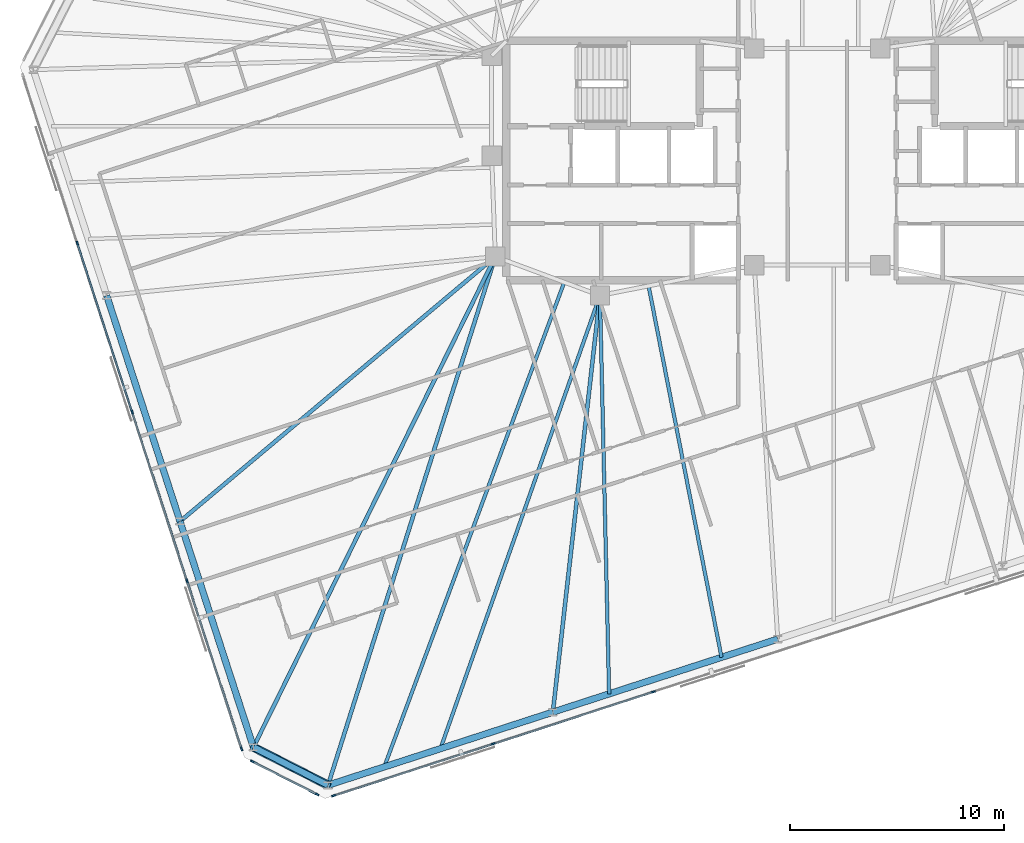
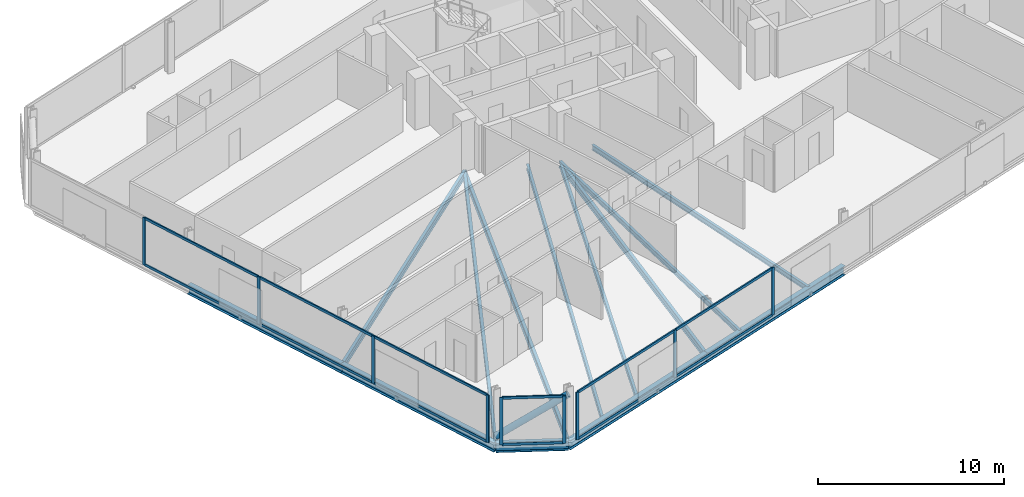
# One storey, part 5 of 19: 22 members, 13 beams, 3 elements without a shape of their own.
"""IFC4 building model written with IfcOpenShell, lengths in metres."""

from ifc_helpers import new_model, si_unit, direction, frame, origin, origin_2d, place, context, subcontext, project, spatial, rectangle, hollow_circle, i_section, extrude, material, material_profile, profile_set, type_object, element, aggregate, save


model = new_model("IFC4")

# Units and contexts
model_context = context("Model", 3, precision=1e-05, world=origin(), true_north=direction((0.0, 1.0)))
body_context = subcontext(model_context, "Body", "Model", "MODEL_VIEW")
ifc_project = project(units=[si_unit("LENGTHUNIT", "METRE"), si_unit("AREAUNIT", "SQUARE_METRE"), si_unit("VOLUMEUNIT", "CUBIC_METRE"), si_unit("PLANEANGLEUNIT", "RADIAN"), si_unit("MASSUNIT", "GRAM", prefix="KILO")], contexts=[model_context])

# Site, building, storey
site_placement = place(None, origin())
site = spatial("IfcSite", under=ifc_project, at=site_placement, CompositionType="ELEMENT")
building_placement = place(site_placement, origin())
building = spatial("IfcBuilding", under=site, at=building_placement, Name="Menara Jurai Vektor", CompositionType="ELEMENT")
storey_placement = place(building_placement, frame((0.0, 0.0, 234.35009765625)))
storey = spatial("IfcBuildingStorey", under=building, at=storey_placement, Name="L62", CompositionType="ELEMENT", Elevation=234.35009765625)

# Curtain wall, members
ifc_material_1 = material(Name="Anodised Pale Aluminium & Low-E Double Glazing", Category="aluminium")
curtain_wall_type = type_object("IfcCurtainWallType", Name="CW-BLK4", PredefinedType="NOTDEFINED", material=ifc_material_1)
curtain_wall_1_placement = place(storey_placement, origin())
curtain_wall_1 = element("IfcCurtainWall", 1, at=curtain_wall_1_placement, inside=storey, type_object=curtain_wall_type, Name="Unitised Curtain Wall L62 F01", PredefinedType="NOTDEFINED")
ifc_material_2 = material(Name="Anodised Pale Aluminium Mullion", Category="aluminium")
ifc_material_profile_1 = material_profile(ifc_material_2, rectangle(XDim=0.080078125, YDim=0.18994140625, at=origin_2d()), Name="ALU MUL 80x190")
ifc_profile_set_1 = profile_set([ifc_material_profile_1], Name="Anodised Pale Aluminium Mullion")
member_type_1 = type_object("IfcMemberType", Name="CW-BLK4-MUL", PredefinedType="MULLION", material=ifc_profile_set_1)
member_1_placement = place(storey_placement, frame((-22.649658203125, -29.743896484375, 0.0), z_axis=(0.0, 0.0, 1.0), x_axis=(-0.309017344167, 0.951056402641, 0.0)))
member_1 = element("IfcMember", 2, at=member_1_placement, type_object=member_type_1, Name="CW-04 mullion 1", PredefinedType="MULLION", context=body_context, shape_type="SweptSolid", body=[
    extrude(rectangle(XDim=0.080078125, YDim=0.18994140625, at=origin_2d()), origin(), (0.0, 0.0, 1.0), 3.125),
])
member_2_placement = place(storey_placement, frame((-15.1826171875, -27.317626953125, 0.0), z_axis=(0.0, 0.0, 1.0), x_axis=(-0.309017344167, 0.951056402641, 0.0)))
member_2 = element("IfcMember", 3, at=member_2_placement, type_object=member_type_1, Name="CW-04 mullion 2", PredefinedType="MULLION", context=body_context, shape_type="SweptSolid", body=[
    extrude(rectangle(XDim=0.080078125, YDim=0.18994140625, at=origin_2d()), origin(), (0.0, 0.0, 1.0), 3.125),
])
member_3_placement = place(storey_placement, frame((-7.677490234375, -24.879150390625, 0.0), z_axis=(0.0, 0.0, 1.0), x_axis=(-0.309017344167, 0.951056402641, 0.0)))
member_3 = element("IfcMember", 4, at=member_3_placement, type_object=member_type_1, Name="CW-04 mullion 3", PredefinedType="MULLION", context=body_context, shape_type="SweptSolid", body=[
    extrude(rectangle(XDim=0.080078125, YDim=0.18994140625, at=origin_2d()), origin(), (0.0, 0.0, 1.0), 3.125),
])

curtain_wall_2_placement = place(storey_placement, origin())
curtain_wall_2 = element("IfcCurtainWall", 5, at=curtain_wall_2_placement, inside=storey, type_object=curtain_wall_type, Name="Unitised Curtain Wall L62 F07", PredefinedType="NOTDEFINED")
member_4_placement = place(storey_placement, frame((-34.650634765625, -3.876220703125, 0.0), z_axis=(0.0, 0.0, 1.0), x_axis=(0.95105668295, 0.309016481464, 0.0)))
member_4 = element("IfcMember", 6, at=member_4_placement, type_object=member_type_1, Name="CW-04 mullion 2", PredefinedType="MULLION", context=body_context, shape_type="SweptSolid", body=[
    extrude(rectangle(XDim=0.080078125, YDim=0.18994140625, at=origin_2d()), origin(), (0.0, 0.0, 1.0), 3.125),
])
member_5_placement = place(storey_placement, frame((-32.082763671875, -11.779541015625, 0.0), z_axis=(0.0, 0.0, 1.0), x_axis=(0.95105668295, 0.309016481464, 0.0)))
member_5 = element("IfcMember", 7, at=member_5_placement, type_object=member_type_1, Name="CW-04 mullion 3", PredefinedType="MULLION", context=body_context, shape_type="SweptSolid", body=[
    extrude(rectangle(XDim=0.080078125, YDim=0.18994140625, at=origin_2d()), origin(), (0.0, 0.0, 1.0), 3.125),
])
member_6_placement = place(storey_placement, frame((-29.514892578125, -19.682861328125, 0.0), z_axis=(0.0, 0.0, 1.0), x_axis=(0.95105668295, 0.309016481464, 0.0)))
member_6 = element("IfcMember", 8, at=member_6_placement, type_object=member_type_1, Name="CW-04 mullion 4", PredefinedType="MULLION", context=body_context, shape_type="SweptSolid", body=[
    extrude(rectangle(XDim=0.080078125, YDim=0.18994140625, at=origin_2d()), origin(), (0.0, 0.0, 1.0), 3.125),
])
member_7_placement = place(storey_placement, frame((-26.959228515625, -27.548095703125, 0.0), z_axis=(0.0, 0.0, 1.0), x_axis=(0.95105668295, 0.309016481464, 0.0)))
member_7 = element("IfcMember", 9, at=member_7_placement, type_object=member_type_1, Name="CW-04 mullion 5", PredefinedType="MULLION", context=body_context, shape_type="SweptSolid", body=[
    extrude(rectangle(XDim=0.080078125, YDim=0.18994140625, at=origin_2d()), origin(), (0.0, 0.0, 1.0), 3.125),
])

curtain_wall_3_placement = place(storey_placement, origin())
curtain_wall_3 = element("IfcCurtainWall", 10, at=curtain_wall_3_placement, inside=storey, type_object=curtain_wall_type, Name="Unitised Curtain Wall L62 F08", PredefinedType="NOTDEFINED")
member_8_placement = place(storey_placement, frame((-26.455322265625, -28.13818359375, 0.0), z_axis=(0.0, 0.0, 1.0), x_axis=(0.453988579828, 0.89100750243, 0.0)))
member_8 = element("IfcMember", 11, at=member_8_placement, type_object=member_type_1, Name="CW-04 mullion 1", PredefinedType="MULLION", context=body_context, shape_type="SweptSolid", body=[
    extrude(rectangle(XDim=0.080078125, YDim=0.18994140625, at=origin_2d()), origin(), (0.0, 0.0, 1.0), 3.125),
])
member_9_placement = place(storey_placement, frame((-23.42333984375, -29.682861328125, 0.0), z_axis=(0.0, 0.0, 1.0), x_axis=(0.453988579828, 0.89100750243, 0.0)))
member_9 = element("IfcMember", 12, at=member_9_placement, type_object=member_type_1, Name="CW-04 mullion 2", PredefinedType="MULLION", context=body_context, shape_type="SweptSolid", body=[
    extrude(rectangle(XDim=0.080078125, YDim=0.18994140625, at=origin_2d()), origin(), (0.0, 0.0, 1.0), 3.125),
])

# Member
ifc_material_3 = material(Name="Anodised Pale Aluminium Transom", Category="aluminium")
ifc_material_profile_2 = material_profile(ifc_material_3, rectangle(XDim=0.080078125, YDim=0.1650390625, at=origin_2d()), Name="ALU TRN 80x165")
ifc_profile_set_2 = profile_set([ifc_material_profile_2], Name="Anodised Pale Aluminium Transom")
member_type_2 = type_object("IfcMemberType", Name="CW-BLK4-TRN", PredefinedType="USERDEFINED", material=ifc_profile_set_2)
member_10_placement = place(storey_placement, frame((-22.61181640625, -29.7314453125, 0.039794921875), z_axis=(0.951062230089, 0.308999408573, 0.0), x_axis=(-0.308999408573, 0.951062230089, 0.0)))
member_10 = element("IfcMember", 13, at=member_10_placement, type_object=member_type_2, Name="CW-04 transom 1.1", ObjectType="TRANSOM", PredefinedType="USERDEFINED", context=body_context, shape_type="SweptSolid", body=[
    extrude(rectangle(XDim=0.080078125, YDim=0.1650390625, at=origin_2d()), origin(), (0.0, 0.0, 1.0), 7.771484375),
])

member_11_placement = place(storey_placement, frame((-22.61181640625, -29.7314453125, 3.0849609375), z_axis=(0.951062230089, 0.308999408573, 0.0), x_axis=(-0.308999408573, 0.951062230089, 0.0)))
member_11 = element("IfcMember", 14, at=member_11_placement, type_object=member_type_2, Name="CW-04 transom 1.2", ObjectType="TRANSOM", PredefinedType="USERDEFINED", context=body_context, shape_type="SweptSolid", body=[
    extrude(rectangle(XDim=0.080078125, YDim=0.1650390625, at=origin_2d()), origin(), (0.0, 0.0, 1.0), 7.771484375),
])

member_12_placement = place(storey_placement, frame((-15.14453125, -27.30517578125, 0.039794921875), z_axis=(0.95105634578, 0.309017519167, 0.0), x_axis=(-0.309017519167, 0.95105634578, 0.0)))
member_12 = element("IfcMember", 15, at=member_12_placement, type_object=member_type_2, Name="CW-04 transom 2.1", ObjectType="TRANSOM", PredefinedType="USERDEFINED", context=body_context, shape_type="SweptSolid", body=[
    extrude(rectangle(XDim=0.080078125, YDim=0.1650390625, at=origin_2d()), origin(), (0.0, 0.0, 1.0), 7.811279296875),
])

member_13_placement = place(storey_placement, frame((-15.14453125, -27.30517578125, 3.0849609375), z_axis=(0.95105634578, 0.309017519167, 0.0), x_axis=(-0.309017519167, 0.95105634578, 0.0)))
member_13 = element("IfcMember", 16, at=member_13_placement, type_object=member_type_2, Name="CW-04 transom 2.2", ObjectType="TRANSOM", PredefinedType="USERDEFINED", context=body_context, shape_type="SweptSolid", body=[
    extrude(rectangle(XDim=0.080078125, YDim=0.1650390625, at=origin_2d()), origin(), (0.0, 0.0, 1.0), 7.811279296875),
])

aggregate(curtain_wall_1, [member_1, member_2, member_3, member_10, member_11, member_12, member_13])

member_14_placement = place(storey_placement, frame((-34.638427734375, -3.914306640625, 0.039794921875), z_axis=(0.309018994408, -0.951055866443, 0.0), x_axis=(0.951055866443, 0.309018994408, 0.0)))
member_14 = element("IfcMember", 17, at=member_14_placement, type_object=member_type_2, Name="CW-04 transom 2.1", ObjectType="TRANSOM", PredefinedType="USERDEFINED", context=body_context, shape_type="SweptSolid", body=[
    extrude(rectangle(XDim=0.080078125, YDim=0.1650390625, at=origin_2d()), origin(), (0.0, 0.0, 1.0), 8.22998046875),
])

member_15_placement = place(storey_placement, frame((-34.638427734375, -3.914306640625, 3.0849609375), z_axis=(0.309018994408, -0.951055866443, 0.0), x_axis=(0.951055866443, 0.309018994408, 0.0)))
member_15 = element("IfcMember", 18, at=member_15_placement, type_object=member_type_2, Name="CW-04 transom 2.2", ObjectType="TRANSOM", PredefinedType="USERDEFINED", context=body_context, shape_type="SweptSolid", body=[
    extrude(rectangle(XDim=0.080078125, YDim=0.1650390625, at=origin_2d()), origin(), (0.0, 0.0, 1.0), 8.22998046875),
])

member_16_placement = place(storey_placement, frame((-32.0703125, -11.817626953125, 0.039794921875), z_axis=(0.309018994408, -0.951055866443, 0.0), x_axis=(0.951055866443, 0.309018994408, 0.0)))
member_16 = element("IfcMember", 19, at=member_16_placement, type_object=member_type_2, Name="CW-04 transom 3.1", ObjectType="TRANSOM", PredefinedType="USERDEFINED", context=body_context, shape_type="SweptSolid", body=[
    extrude(rectangle(XDim=0.080078125, YDim=0.1650390625, at=origin_2d()), origin(), (0.0, 0.0, 1.0), 8.22998046875),
])

member_17_placement = place(storey_placement, frame((-32.0703125, -11.817626953125, 3.0849609375), z_axis=(0.309018994408, -0.951055866443, 0.0), x_axis=(0.951055866443, 0.309018994408, 0.0)))
member_17 = element("IfcMember", 20, at=member_17_placement, type_object=member_type_2, Name="CW-04 transom 3.2", ObjectType="TRANSOM", PredefinedType="USERDEFINED", context=body_context, shape_type="SweptSolid", body=[
    extrude(rectangle(XDim=0.080078125, YDim=0.1650390625, at=origin_2d()), origin(), (0.0, 0.0, 1.0), 8.22998046875),
])

member_18_placement = place(storey_placement, frame((-29.50244140625, -19.720947265625, 0.039794921875), z_axis=(0.309010577384, -0.951058601278, 0.0), x_axis=(0.951058601278, 0.309010577384, 0.0)))
member_18 = element("IfcMember", 21, at=member_18_placement, type_object=member_type_2, Name="CW-04 transom 4.1", ObjectType="TRANSOM", PredefinedType="USERDEFINED", context=body_context, shape_type="SweptSolid", body=[
    extrude(rectangle(XDim=0.080078125, YDim=0.1650390625, at=origin_2d()), origin(), (0.0, 0.0, 1.0), 8.18994140625),
])

member_19_placement = place(storey_placement, frame((-29.50244140625, -19.720947265625, 3.0849609375), z_axis=(0.309010577384, -0.951058601278, 0.0), x_axis=(0.951058601278, 0.309010577384, 0.0)))
member_19 = element("IfcMember", 22, at=member_19_placement, type_object=member_type_2, Name="CW-04 transom 4.2", ObjectType="TRANSOM", PredefinedType="USERDEFINED", context=body_context, shape_type="SweptSolid", body=[
    extrude(rectangle(XDim=0.080078125, YDim=0.1650390625, at=origin_2d()), origin(), (0.0, 0.0, 1.0), 8.18994140625),
])

aggregate(curtain_wall_2, [member_4, member_5, member_6, member_7, member_14, member_15, member_16, member_17, member_18, member_19])

member_20_placement = place(storey_placement, frame((-26.419677734375, -28.15625, 0.039794921875), z_axis=(0.89100697374, -0.453989617444, 0.0), x_axis=(0.453989617444, 0.89100697374, 0.0)))
member_20 = element("IfcMember", 23, at=member_20_placement, type_object=member_type_2, Name="CW-04 transom 1.1", ObjectType="TRANSOM", PredefinedType="USERDEFINED", context=body_context, shape_type="SweptSolid", body=[
    extrude(rectangle(XDim=0.080078125, YDim=0.1650390625, at=origin_2d()), origin(), (0.0, 0.0, 1.0), 3.32275390625),
])

member_21_placement = place(storey_placement, frame((-26.419677734375, -28.15625, 3.0849609375), z_axis=(0.89100697374, -0.453989617444, 0.0), x_axis=(0.453989617444, 0.89100697374, 0.0)))
member_21 = element("IfcMember", 24, at=member_21_placement, type_object=member_type_2, Name="CW-04 transom 1.2", ObjectType="TRANSOM", PredefinedType="USERDEFINED", context=body_context, shape_type="SweptSolid", body=[
    extrude(rectangle(XDim=0.080078125, YDim=0.1650390625, at=origin_2d()), origin(), (0.0, 0.0, 1.0), 3.32275390625),
])

aggregate(curtain_wall_3, [member_8, member_9, member_20, member_21])

# Beams
ifc_material_4 = material(Name="Steel S355", Category="steel")
ifc_material_profile_3 = material_profile(ifc_material_4, i_section(OverallWidth=0.18505859375, OverallDepth=0.429931640625, WebThickness=0.010986328125, FlangeThickness=0.01806640625, at=origin_2d()), Name="PG 430x185x76")
ifc_profile_set_3 = profile_set([ifc_material_profile_3], Name="Steel S355")
beam_type_1 = type_object("IfcBeamType", Name="STR-BM-430", PredefinedType="BEAM", material=ifc_profile_set_3)
beam_1_placement = place(storey_placement, frame((-22.912841796875, -29.2509765625, -0.440185546875), z_axis=(0.301715059084, 0.953398145122, 0.0), x_axis=(-0.953398145122, 0.301715059084, 0.0)))
element("IfcBeam", 25, at=beam_1_placement, inside=storey, type_object=beam_type_1, Name="Radial Floor Girder L62-S1", PredefinedType="BEAM", context=body_context, shape_type="SweptSolid", body=[
    extrude(i_section(OverallWidth=0.18505859375, OverallDepth=0.429931640625, WebThickness=0.010986328125, FlangeThickness=0.01806640625, at=origin_2d()), origin(), (0.0, 0.0, 1.0), 25.960693359375),
])
beam_2_placement = place(storey_placement, frame((-12.383544921875, -25.829833984375, -0.440185546875), z_axis=(0.112235588534, 0.993681625404, 0.0), x_axis=(-0.993681625404, 0.112235588534, 0.0)))
element("IfcBeam", 26, at=beam_2_placement, inside=storey, type_object=beam_type_1, Name="Radial Floor Girder L62-S2", PredefinedType="BEAM", context=body_context, shape_type="SweptSolid", body=[
    extrude(i_section(OverallWidth=0.18505859375, OverallDepth=0.429931640625, WebThickness=0.010986328125, FlangeThickness=0.01806640625, at=origin_2d()), origin(), (0.0, 0.0, 1.0), 19.6337890625),
])
beam_3_placement = place(storey_placement, frame((-29.841796875, -16.896728515625, -0.440185546875), z_axis=(0.765784449649, 0.64309733064, 0.0), x_axis=(-0.64309733064, 0.765784449649, 0.0)))
element("IfcBeam", 27, at=beam_3_placement, inside=storey, type_object=beam_type_1, Name="Radial Floor Girder L62-W3", PredefinedType="BEAM", context=body_context, shape_type="SweptSolid", body=[
    extrude(i_section(OverallWidth=0.18505859375, OverallDepth=0.429931640625, WebThickness=0.010986328125, FlangeThickness=0.01806640625, at=origin_2d()), origin(), (0.0, 0.0, 1.0), 19.276611328125),
])
beam_4_placement = place(storey_placement, frame((-26.406005859375, -27.47119140625, -0.440185546875), z_axis=(0.442219272094, 0.896906971424, 0.0), x_axis=(-0.896906971424, 0.442219272094, 0.0)))
element("IfcBeam", 28, at=beam_4_placement, inside=storey, type_object=beam_type_1, Name="Radial Floor Girder L62-W4", PredefinedType="BEAM", context=body_context, shape_type="SweptSolid", body=[
    extrude(i_section(OverallWidth=0.18505859375, OverallDepth=0.429931640625, WebThickness=0.010986328125, FlangeThickness=0.01806640625, at=origin_2d()), origin(), (0.0, 0.0, 1.0), 25.611572265625),
])

# Member
ifc_material_5 = material(Name="Steel S460", Category="steel")
ifc_material_profile_4 = material_profile(ifc_material_5, hollow_circle(Radius=0.203125, WallThickness=0.01611328125, at=origin_2d()), Name="CHS 406.4x16")
ifc_profile_set_4 = profile_set([ifc_material_profile_4], Name="Steel S460")
member_type_3 = type_object("IfcMemberType", Name="STR-BR-406", PredefinedType="BRACE", material=ifc_profile_set_4)
member_22_placement = place(storey_placement, frame((-26.406005859375, -27.47119140625, 0.14990234375), z_axis=(0.740375367811, -0.377225079071, 0.556368182465), x_axis=(0.453976155955, 0.891013832566, 0.0)))
element("IfcMember", 29, at=member_22_placement, inside=storey, type_object=member_type_3, Name="Exoskeleton Corner Brace L62-4", PredefinedType="BRACE", context=body_context, shape_type="SweptSolid", body=[
    extrude(hollow_circle(Radius=0.203125, WallThickness=0.01611328125, at=origin_2d()), origin(), (0.0, 0.0, 1.0), 4.718017578125),
])

# Beams
ifc_material_profile_5 = material_profile(ifc_material_4, i_section(OverallWidth=0.1650390625, OverallDepth=0.330078125, WebThickness=0.009033203125, FlangeThickness=0.013916015625, at=origin_2d()), Name="PG 330x165x46")
ifc_profile_set_5 = profile_set([ifc_material_profile_5], Name="Steel S355")
beam_type_2 = type_object("IfcBeamType", Name="STR-JS-330", PredefinedType="JOIST", material=ifc_profile_set_5)
beam_5_placement = place(storey_placement, frame((-20.280517578125, -28.395751953125, -0.39013671875), z_axis=(0.348182225555, 0.937426870645, 0.0), x_axis=(-0.937426870645, 0.348182225555, 0.0)))
element("IfcBeam", 30, at=beam_5_placement, inside=storey, type_object=beam_type_2, Name="Radial Secondary Floor Joist L62-JS01", PredefinedType="JOIST", context=body_context, shape_type="SweptSolid", body=[
    extrude(i_section(OverallWidth=0.1650390625, OverallDepth=0.330078125, WebThickness=0.009033203125, FlangeThickness=0.013916015625, at=origin_2d()), origin(), (0.0, 0.0, 1.0), 24.211181640625),
])
beam_6_placement = place(storey_placement, frame((-17.648193359375, -27.540283203125, -0.39013671875), z_axis=(0.331980963321, 0.943286085974, 0.0), x_axis=(-0.943286085974, 0.331980963321, 0.0)))
element("IfcBeam", 31, at=beam_6_placement, inside=storey, type_object=beam_type_2, Name="Radial Secondary Floor Joist L62-JS02", PredefinedType="JOIST", context=body_context, shape_type="SweptSolid", body=[
    extrude(i_section(OverallWidth=0.1650390625, OverallDepth=0.330078125, WebThickness=0.009033203125, FlangeThickness=0.013916015625, at=origin_2d()), origin(), (0.0, 0.0, 1.0), 22.49609375),
])
beam_7_placement = place(storey_placement, frame((-9.751220703125, -24.974609375, -0.39013671875), z_axis=(-0.022975519442, 0.999736027913, 0.0), x_axis=(-0.999736027913, -0.022975519442, 0.0)))
element("IfcBeam", 32, at=beam_7_placement, inside=storey, type_object=beam_type_2, Name="Radial Secondary Floor Joist L62-JS03", PredefinedType="JOIST", context=body_context, shape_type="SweptSolid", body=[
    extrude(i_section(OverallWidth=0.1650390625, OverallDepth=0.330078125, WebThickness=0.009033203125, FlangeThickness=0.013916015625, at=origin_2d()), origin(), (0.0, 0.0, 1.0), 18.659423828125),
])
beam_8_placement = place(storey_placement, frame((-4.486572265625, -23.263916015625, -0.39013671875), z_axis=(-0.192724225092, 0.981252960792, 0.0), x_axis=(-0.981252960792, -0.192724225092, 0.0)))
element("IfcBeam", 33, at=beam_8_placement, inside=storey, type_object=beam_type_2, Name="Radial Secondary Floor Joist L62-JS04", PredefinedType="JOIST", context=body_context, shape_type="SweptSolid", body=[
    extrude(i_section(OverallWidth=0.1650390625, OverallDepth=0.330078125, WebThickness=0.009033203125, FlangeThickness=0.013916015625, at=origin_2d()), origin(), (0.0, 0.0, 1.0), 17.7236328125),
])
ifc_material_profile_6 = material_profile(ifc_material_4, i_section(OverallWidth=0.306884765625, OverallDepth=0.6201171875, WebThickness=0.013916015625, FlangeThickness=0.02392578125, FilletRadius=0.01708984375, at=origin_2d()), Name="UKB 610x305x179")
ifc_profile_set_6 = profile_set([ifc_material_profile_6], Name="Steel S355")
beam_type_3 = type_object("IfcBeamType", Name="STR-SP-610", PredefinedType="SPANDREL", material=ifc_profile_set_6)
for number, where, z_axis, x_axis, name in (
    (34, (-22.912841796875, -29.2509765625, -0.53515625), (0.951057401967, 0.309014268544, 0.0), (-0.309014268544, 0.951057401967, 0.0), "Exoskeleton Spandrel Beam L62-01"),
    (35, (-12.383544921875, -25.829833984375, -0.53515625), (0.951057401967, 0.309014268544, 0.0), (-0.309014268544, 0.951057401967, 0.0), "Exoskeleton Spandrel Beam L62-02"),
):
    element("IfcBeam", number, at=place(storey_placement, frame(where, z_axis=z_axis, x_axis=x_axis)), inside=storey, type_object=beam_type_3, Name=name, PredefinedType="SPANDREL", context=body_context, shape_type="SweptSolid", body=[
        extrude(i_section(OverallWidth=0.306884765625, OverallDepth=0.6201171875, WebThickness=0.013916015625, FlangeThickness=0.02392578125, FilletRadius=0.01708984375, at=origin_2d()), origin(), (0.0, 0.0, 1.0), 11.071044921875),
    ])
beam_9_placement = place(storey_placement, frame((-33.277587890625, -6.322509765625, -0.53515625), z_axis=(0.309018545885, -0.951056012178, 0.0), x_axis=(0.951056012178, 0.309018545885, 0.0)))
element("IfcBeam", 36, at=beam_9_placement, inside=storey, type_object=beam_type_3, Name="Exoskeleton Spandrel Beam L62-18", PredefinedType="SPANDREL", context=body_context, shape_type="SweptSolid", body=[
    extrude(i_section(OverallWidth=0.306884765625, OverallDepth=0.6201171875, WebThickness=0.013916015625, FlangeThickness=0.02392578125, FilletRadius=0.01708984375, at=origin_2d()), origin(), (0.0, 0.0, 1.0), 11.118408203125),
])
beam_10_placement = place(storey_placement, frame((-29.841796875, -16.896728515625, -0.53515625), z_axis=(0.309012092614, -0.95105810896, 0.0), x_axis=(0.95105810896, 0.309012092614, 0.0)))
element("IfcBeam", 37, at=beam_10_placement, inside=storey, type_object=beam_type_3, Name="Exoskeleton Spandrel Beam L62-19", PredefinedType="SPANDREL", context=body_context, shape_type="SweptSolid", body=[
    extrude(i_section(OverallWidth=0.306884765625, OverallDepth=0.6201171875, WebThickness=0.013916015625, FlangeThickness=0.02392578125, FilletRadius=0.01708984375, at=origin_2d()), origin(), (0.0, 0.0, 1.0), 11.11865234375),
])
beam_11_placement = place(storey_placement, frame((-26.406005859375, -27.47119140625, -0.53515625), z_axis=(0.891013832566, -0.453976155955, 0.0), x_axis=(0.453976155955, 0.891013832566, 0.0)))
element("IfcBeam", 38, at=beam_11_placement, inside=storey, type_object=beam_type_3, Name="Exoskeleton Spandrel Beam L62-20", PredefinedType="SPANDREL", context=body_context, shape_type="SweptSolid", body=[
    extrude(i_section(OverallWidth=0.306884765625, OverallDepth=0.6201171875, WebThickness=0.013916015625, FlangeThickness=0.02392578125, FilletRadius=0.01708984375, at=origin_2d()), origin(), (0.0, 0.0, 1.0), 3.92041015625),
])

save(model, "model.ifc")
